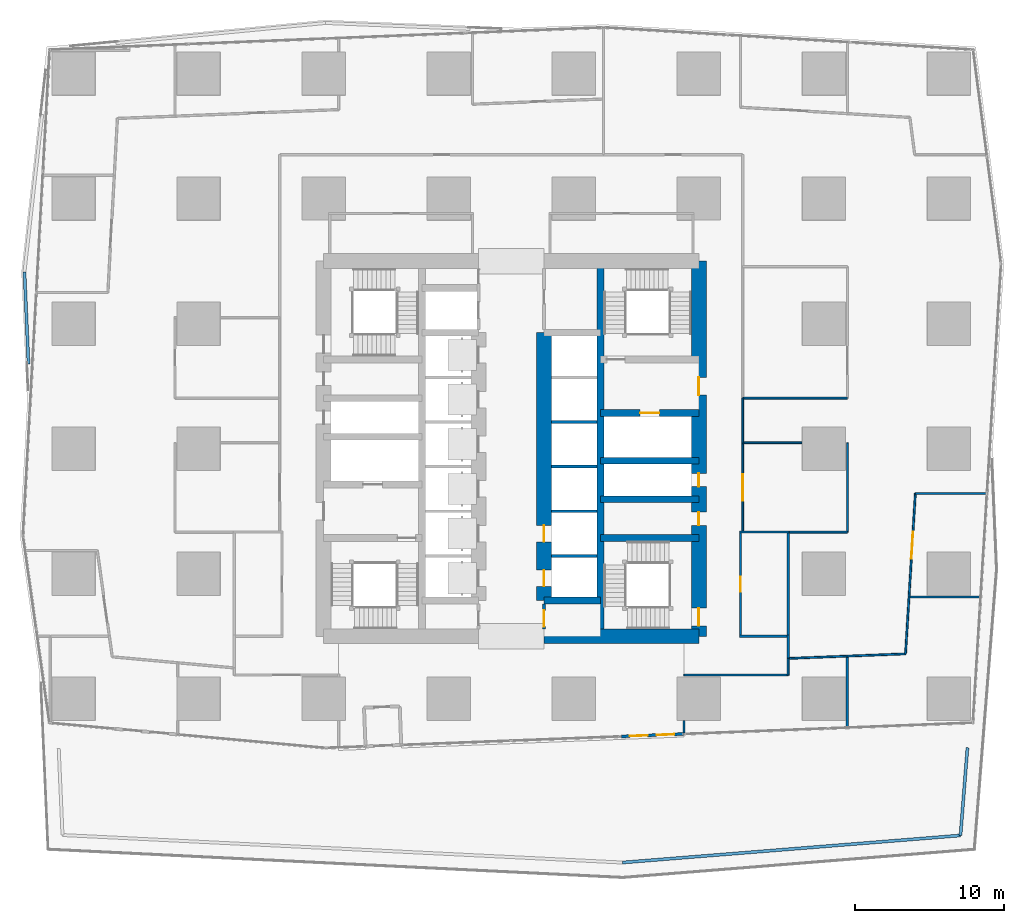
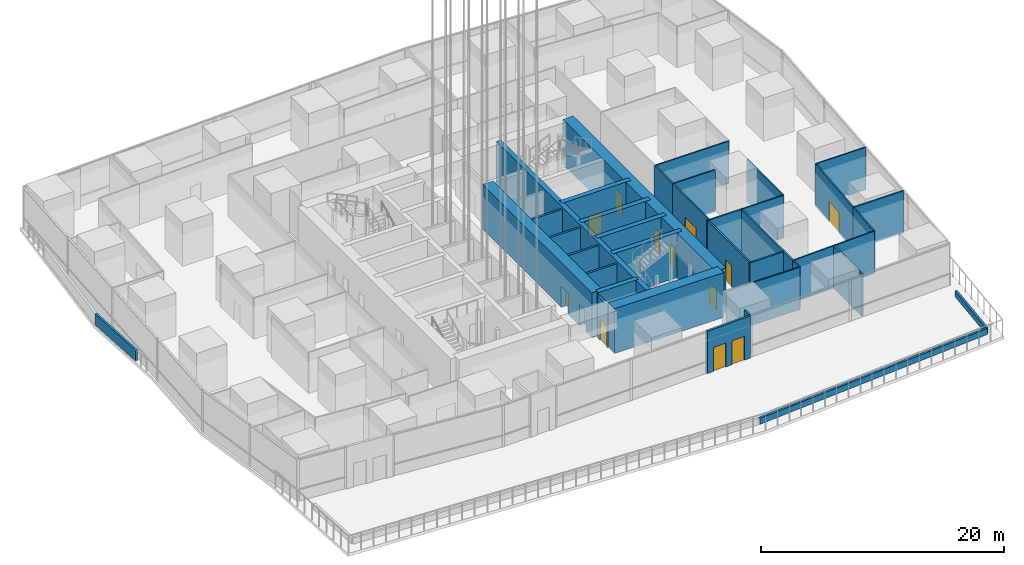
# One storey, part 20 of 44: 39 walls, 13 doors, 13 openings.
"""IFC4 building model written with IfcOpenShell, lengths in metres."""

from ifc_helpers import new_model, si_unit, direction, frame, frame_2d, origin, place, context, subcontext, project, spatial, rectangle, extrude, material, layer, layer_set, type_object, element, fill, save


model = new_model("IFC4")

# Units and contexts
model_context = context("Model", 3, precision=1e-05, world=origin(), true_north=direction((0.0, 1.0)))
body_context = subcontext(model_context, "Body", "Model", "MODEL_VIEW")
ifc_project = project(units=[si_unit("LENGTHUNIT", "METRE"), si_unit("AREAUNIT", "SQUARE_METRE"), si_unit("VOLUMEUNIT", "CUBIC_METRE"), si_unit("PLANEANGLEUNIT", "RADIAN"), si_unit("MASSUNIT", "GRAM", prefix="KILO")], contexts=[model_context])

# Site, building, storey
site_placement = place(None, origin())
site = spatial("IfcSite", under=ifc_project, at=site_placement, CompositionType="ELEMENT")
building_placement = place(site_placement, origin())
building = spatial("IfcBuilding", under=site, at=building_placement, Name="Rekha Terrace Tower", CompositionType="ELEMENT")
storey_placement = place(building_placement, frame((0.0, 0.0, 90.800048828125)))
storey = spatial("IfcBuildingStorey", under=building, at=storey_placement, Name="L22", CompositionType="ELEMENT", Elevation=90.800048828125)

# Walls
ifc_material_1 = material(Name="Concrete M70", Category="concrete")
ifc_layer_1 = layer(ifc_material_1, 0.449951171875)
ifc_layer_set_1 = layer_set([ifc_layer_1], Name="Concrete M70")
wall_type_1 = type_object("IfcWallType", Name="CI2 450 core internal shear wall", PredefinedType="SHEAR", material=ifc_layer_set_1)
wall_1_placement = place(storey_placement, frame((43.800048828125, 21.0, 0.0), z_axis=(0.0, 0.0, 1.0), x_axis=(0.0, 1.0, 0.0)))
element("IfcWall", 1, at=wall_1_placement, inside=storey, type_object=wall_type_1, Name="Core wall X438 L22", PredefinedType="SHEAR", context=body_context, shape_type="SweptSolid", body=[
    extrude(rectangle(XDim=25.199951171875, YDim=0.449951171875, at=frame_2d((12.60009765625, 0.0))), origin(), (0.0, 0.0, 1.0), 4.5),
])
wall_2_placement = place(storey_placement, frame((40.0, 23.39990234375, 0.0), z_axis=(0.0, 0.0, 1.0), x_axis=(1.0, 0.0, 0.0)))
element("IfcWall", 2, at=wall_2_placement, inside=storey, type_object=wall_type_1, Name="Core wall Y234E L22", PredefinedType="SHEAR", context=body_context, shape_type="SweptSolid", body=[
    extrude(rectangle(XDim=3.800048828125, YDim=0.449951171875, at=frame_2d((1.89990234375, 0.0))), origin(), (0.0, 0.0, 1.0), 4.5),
])
for number, where, z_axis, x_axis, name in (
    (3, (43.800048828125, 27.60009765625, 0.0), (0.0, 0.0, 1.0), (1.0, 0.0, 0.0), "Core wall Y276E L22"),
    (4, (43.800048828125, 30.199951171875, 0.0), (0.0, 0.0, 1.0), (1.0, 0.0, 0.0), "Core wall Y302E L22"),
    (5, (43.800048828125, 32.800048828125, 0.0), (0.0, 0.0, 1.0), (1.0, 0.0, 0.0), "Core wall Y328E L22"),
):
    element("IfcWall", number, at=place(storey_placement, frame(where, z_axis=z_axis, x_axis=x_axis)), inside=storey, type_object=wall_type_1, Name=name, PredefinedType="SHEAR", context=body_context, shape_type="SweptSolid", body=[
        extrude(rectangle(XDim=6.599853515625, YDim=0.449951171875, at=frame_2d((3.2998046875, 0.0))), origin(), (0.0, 0.0, 1.0), 4.5),
    ])

# Wall, opening, door
wall_3_placement = place(storey_placement, frame((43.800048828125, 36.0, 0.0), z_axis=(0.0, 0.0, 1.0), x_axis=(1.0, 0.0, 0.0)))
wall_3 = element("IfcWall", 6, at=wall_3_placement, inside=storey, type_object=wall_type_1, Name="Core wall Y360E L22", PredefinedType="SHEAR", context=body_context, shape_type="SweptSolid", body=[
    extrude(rectangle(XDim=6.599853515625, YDim=0.449951171875, at=frame_2d((3.2998046875, 0.0))), origin(), (0.0, 0.0, 1.0), 4.5),
])
opening_1_placement = place(wall_3_placement, frame((2.64990234375, 0.0, 0.0)))
opening_1 = element("IfcOpeningElement", 7, at=opening_1_placement, cuts=wall_3, Name="Opening LD2", PredefinedType="OPENING", context=body_context, shape_type="SweptSolid", body=[
    extrude(rectangle(XDim=1.300048828125, YDim=2.10009765625, at=frame_2d((0.64990234375, 1.050048828125))), frame((0.0, 0.23486328125, 0.0), z_axis=(0.0, -1.0, 0.0), x_axis=(1.0, 0.0, 0.0)), (0.0, 0.0, 1.0), 0.469970703125),
])
ifc_material_2 = material(Name="Stainless steel sliding landing door", Category="steel")
door_type_1 = type_object("IfcDoorType", Name="LD2 1300x2100 fire lift landing door", OperationType="SLIDING_TO_LEFT", PredefinedType="USERDEFINED", material=ifc_material_2)
door_1_placement = place(opening_1_placement, origin())
door_1 = element("IfcDoor", 8, at=door_1_placement, inside=storey, type_object=door_type_1, Name="Lift FL2 landing door L22", ObjectType="LIFT LANDING DOOR", OperationType="SLIDING_TO_LEFT", OverallHeight=2.10009765625, OverallWidth=1.300048828125, PredefinedType="USERDEFINED", context=body_context, shape_type="SweptSolid", body=[
    extrude(rectangle(XDim=1.300048828125, YDim=2.10009765625, at=frame_2d((0.64990234375, 1.050048828125))), frame((0.0, 0.02490234375, 0.0), z_axis=(0.0, -1.0, 0.0), x_axis=(1.0, 0.0, 0.0)), (0.0, 0.0, 1.0), 0.050048828125),
])
fill(opening_1, door_1)

# Wall, openings, doors
ifc_material_3 = material(Name="Aluminium-faced insulated screen wall", Category="aluminium")
ifc_layer_2 = layer(ifc_material_3, 0.199951171875)
ifc_layer_set_2 = layer_set([ifc_layer_2], Name="Aluminium-faced insulated screen wall")
wall_type_2 = type_object("IfcWallType", Name="EW3 terrace door screen wall 200", PredefinedType="SOLIDWALL", material=ifc_layer_set_2)
wall_4_placement = place(storey_placement, frame((45.163330078125, 14.2724609375, 0.0), z_axis=(0.0, 0.0, 1.0), x_axis=(0.999243554769, 0.03888853625, 0.0)))
wall_4 = element("IfcWall", 9, at=wall_4_placement, inside=storey, type_object=wall_type_2, Name="Terrace door screen wall", PredefinedType="SOLIDWALL", context=body_context, shape_type="SweptSolid", body=[
    extrude(rectangle(XDim=4.199951171875, YDim=0.199951171875, at=frame_2d((2.10009765625, 0.0))), origin(), (0.0, 0.0, 1.0), 4.25),
])
opening_2_placement = place(wall_4_placement, frame((0.60009765625, 0.0, 0.0)))
opening_2 = element("IfcOpeningElement", 10, at=opening_2_placement, cuts=wall_4, Name="Opening ED4", PredefinedType="OPENING", context=body_context, shape_type="SweptSolid", body=[
    extrude(rectangle(XDim=1.199951171875, YDim=2.39990234375, at=frame_2d((0.60009765625, 1.199951171875))), frame((0.0, 0.10986328125, 0.0), z_axis=(0.0, -1.0, 0.0), x_axis=(1.0, 0.0, 0.0)), (0.0, 0.0, 1.0), 0.219970703125),
])
opening_3_placement = place(wall_4_placement, frame((2.39990234375, 0.0, 0.0)))
opening_3 = element("IfcOpeningElement", 11, at=opening_3_placement, cuts=wall_4, Name="Opening ED4", PredefinedType="OPENING", context=body_context, shape_type="SweptSolid", body=[
    extrude(rectangle(XDim=1.199951171875, YDim=2.39990234375, at=frame_2d((0.60009765625, 1.199951171875))), frame((0.0, 0.10986328125, 0.0), z_axis=(0.0, -1.0, 0.0), x_axis=(1.0, 0.0, 0.0)), (0.0, 0.0, 1.0), 0.219970703125),
])
ifc_material_4 = material(Name="Aluminium framed laminated glass door", Category="aluminium")
door_type_2 = type_object("IfcDoorType", Name="ED4 glazed terrace door 1200 x 2400", OperationType="SINGLE_SWING_LEFT", PredefinedType="DOOR", material=ifc_material_4)
door_2_placement = place(opening_2_placement, origin())
door_2 = element("IfcDoor", 12, at=door_2_placement, inside=storey, type_object=door_type_2, Name="Terrace door", OperationType="SINGLE_SWING_LEFT", OverallHeight=2.39990234375, OverallWidth=1.199951171875, PredefinedType="DOOR", context=body_context, shape_type="SweptSolid", body=[
    extrude(rectangle(XDim=1.199951171875, YDim=2.39990234375, at=frame_2d((0.60009765625, 1.199951171875))), frame((0.0, 0.02490234375, 0.0), z_axis=(0.0, -1.0, 0.0), x_axis=(1.0, 0.0, 0.0)), (0.0, 0.0, 1.0), 0.050048828125),
])
fill(opening_2, door_2)
door_3_placement = place(opening_3_placement, origin())
door_3 = element("IfcDoor", 13, at=door_3_placement, inside=storey, type_object=door_type_2, Name="Terrace door", OperationType="SINGLE_SWING_LEFT", OverallHeight=2.39990234375, OverallWidth=1.199951171875, PredefinedType="DOOR", context=body_context, shape_type="SweptSolid", body=[
    extrude(rectangle(XDim=1.199951171875, YDim=2.39990234375, at=frame_2d((0.60009765625, 1.199951171875))), frame((0.0, 0.02490234375, 0.0), z_axis=(0.0, -1.0, 0.0), x_axis=(1.0, 0.0, 0.0)), (0.0, 0.0, 1.0), 0.050048828125),
])
fill(opening_3, door_3)

ifc_layer_3 = layer(ifc_material_1, 1.0)
ifc_layer_set_3 = layer_set([ifc_layer_3], Name="Concrete M70")
wall_type_3 = type_object("IfcWallType", Name="LW2 1000 core lobby wall at an outrigger level", PredefinedType="SHEAR", material=ifc_layer_set_3)
wall_5_placement = place(storey_placement, frame((40.0, 23.39990234375, 0.0), z_axis=(0.0, 0.0, 1.0), x_axis=(0.0, 1.0, 0.0)))
wall_5 = element("IfcWall", 14, at=wall_5_placement, inside=storey, type_object=wall_type_3, Name="Core wall X400 L22", PredefinedType="SHEAR", context=body_context, shape_type="SweptSolid", body=[
    extrude(rectangle(XDim=18.0, YDim=1.0, at=frame_2d((9.0, 0.0))), origin(), (0.0, 0.0, 1.0), 4.5),
])
opening_4_placement = place(wall_5_placement, frame((0.949951171875, 0.0, 0.0)))
opening_4 = element("IfcOpeningElement", 15, at=opening_4_placement, cuts=wall_5, Name="Opening LD1", PredefinedType="OPENING", context=body_context, shape_type="SweptSolid", body=[
    extrude(rectangle(XDim=1.10009765625, YDim=2.10009765625, at=frame_2d((0.550048828125, 1.050048828125))), frame((0.0, 0.510009765625, 0.0), z_axis=(0.0, -1.0, 0.0), x_axis=(1.0, 0.0, 0.0)), (0.0, 0.0, 1.0), 1.02001953125),
])
opening_5_placement = place(wall_5_placement, frame((3.949951171875, 0.0, 0.0)))
opening_5 = element("IfcOpeningElement", 16, at=opening_5_placement, cuts=wall_5, Name="Opening LD1", PredefinedType="OPENING", context=body_context, shape_type="SweptSolid", body=[
    extrude(rectangle(XDim=1.10009765625, YDim=2.10009765625, at=frame_2d((0.550048828125, 1.050048828125))), frame((0.0, 0.510009765625, 0.0), z_axis=(0.0, -1.0, 0.0), x_axis=(1.0, 0.0, 0.0)), (0.0, 0.0, 1.0), 1.02001953125),
])
door_type_3 = type_object("IfcDoorType", Name="LD1 1100x2100 lift landing door", OperationType="SLIDING_TO_LEFT", PredefinedType="USERDEFINED", material=ifc_material_2)
door_4_placement = place(opening_4_placement, origin())
door_4 = element("IfcDoor", 17, at=door_4_placement, inside=storey, type_object=door_type_3, Name="Lift SH1 landing door L22", ObjectType="LIFT LANDING DOOR", OperationType="SLIDING_TO_LEFT", OverallHeight=2.10009765625, OverallWidth=1.10009765625, PredefinedType="USERDEFINED", context=body_context, shape_type="SweptSolid", body=[
    extrude(rectangle(XDim=1.10009765625, YDim=2.10009765625, at=frame_2d((0.550048828125, 1.050048828125))), frame((0.0, 0.02490234375, 0.0), z_axis=(0.0, -1.0, 0.0), x_axis=(1.0, 0.0, 0.0)), (0.0, 0.0, 1.0), 0.050048828125),
])
fill(opening_4, door_4)
door_5_placement = place(opening_5_placement, origin())
door_5 = element("IfcDoor", 18, at=door_5_placement, inside=storey, type_object=door_type_3, Name="Lift SH2 landing door L22", ObjectType="LIFT LANDING DOOR", OperationType="SLIDING_TO_LEFT", OverallHeight=2.10009765625, OverallWidth=1.10009765625, PredefinedType="USERDEFINED", context=body_context, shape_type="SweptSolid", body=[
    extrude(rectangle(XDim=1.10009765625, YDim=2.10009765625, at=frame_2d((0.550048828125, 1.050048828125))), frame((0.0, 0.02490234375, 0.0), z_axis=(0.0, -1.0, 0.0), x_axis=(1.0, 0.0, 0.0)), (0.0, 0.0, 1.0), 0.050048828125),
])
fill(opening_5, door_5)

# Walls
ifc_material_5 = material(Name="Concrete M40", Category="concrete")
ifc_layer_4 = layer(ifc_material_5, 0.199951171875)
ifc_layer_set_4 = layer_set([ifc_layer_4], Name="Concrete M40")
wall_type_4 = type_object("IfcWallType", Name="PL1 terrace planter wall 200", PredefinedType="USERDEFINED", material=ifc_layer_set_4)
wall_6_placement = place(storey_placement, frame((45.27099609375, 5.80224609375, 0.0), z_axis=(0.0, 0.0, 1.0), x_axis=(0.996805456417, 0.079867903804, 0.0)))
element("IfcWall", 19, at=wall_6_placement, inside=storey, type_object=wall_type_4, Name="Terrace planter", ObjectType="PLANTER", PredefinedType="USERDEFINED", context=body_context, shape_type="SweptSolid", body=[
    extrude(rectangle(XDim=22.779296875, YDim=0.199951171875, at=frame_2d((11.3896484375, 0.0))), origin(), (0.0, 0.0, 1.0), 0.599853515625),
])
wall_7_placement = place(storey_placement, frame((67.9775390625, 7.62158203125, 0.0), z_axis=(0.0, 0.0, 1.0), x_axis=(0.079133230428, 0.996864048826, 0.0)))
element("IfcWall", 20, at=wall_7_placement, inside=storey, type_object=wall_type_4, Name="Terrace planter", ObjectType="PLANTER", PredefinedType="USERDEFINED", context=body_context, shape_type="SweptSolid", body=[
    extrude(rectangle(XDim=5.914306640625, YDim=0.199951171875, at=frame_2d((2.95703125, 0.0))), origin(), (0.0, 0.0, 1.0), 0.599853515625),
])
ifc_layer_5 = layer(ifc_material_5, 0.199951171875)
ifc_layer_set_5 = layer_set([ifc_layer_5], Name="Concrete M40")
wall_type_5 = type_object("IfcWallType", Name="PP1 parapet wall 200", PredefinedType="PARAPET", material=ifc_layer_set_5)
wall_8_placement = place(storey_placement, frame((5.1005859375, 45.47314453125, 0.0), z_axis=(0.0, 0.0, 1.0), x_axis=(0.043652646893, -0.999046768885, 0.0)))
element("IfcWall", 21, at=wall_8_placement, inside=storey, type_object=wall_type_5, Name="Ledge parapet", PredefinedType="PARAPET", context=body_context, shape_type="SweptSolid", body=[
    extrude(rectangle(XDim=6.19677734375, YDim=0.199951171875, at=frame_2d((3.098388671875, 0.0))), origin(), (0.0, 0.0, 1.0), 1.099853515625),
])
ifc_layer_6 = layer(ifc_material_1, 1.0)
ifc_layer_set_6 = layer_set([ifc_layer_6], Name="Concrete M70")
wall_type_6 = type_object("IfcWallType", Name="SW2 1000 core outer shear wall", PredefinedType="SHEAR", material=ifc_layer_set_6)
wall_9_placement = place(storey_placement, frame((40.0, 21.0, 0.0), z_axis=(0.0, 0.0, 1.0), x_axis=(1.0, 0.0, 0.0)))
element("IfcWall", 22, at=wall_9_placement, inside=storey, type_object=wall_type_6, Name="Core wall S2 L22", PredefinedType="SHEAR", context=body_context, shape_type="SweptSolid", body=[
    extrude(rectangle(XDim=10.39990234375, YDim=1.0, at=frame_2d((5.199951171875, 0.0))), origin(), (0.0, 0.0, 1.0), 4.5),
])

# Wall, openings, doors
wall_10_placement = place(storey_placement, frame((50.39990234375, 21.0, 0.0), z_axis=(0.0, 0.0, 1.0), x_axis=(0.0, 1.0, 0.0)))
wall_10 = element("IfcWall", 23, at=wall_10_placement, inside=storey, type_object=wall_type_6, Name="Core wall E L22", PredefinedType="SHEAR", context=body_context, shape_type="SweptSolid", body=[
    extrude(rectangle(XDim=25.199951171875, YDim=1.0, at=frame_2d((12.60009765625, 0.0))), origin(), (0.0, 0.0, 1.0), 4.5),
])
opening_6_placement = place(wall_10_placement, frame((16.199951171875, 0.0, 0.0)))
opening_6 = element("IfcOpeningElement", 24, at=opening_6_placement, cuts=wall_10, Name="Opening D2", PredefinedType="OPENING", context=body_context, shape_type="SweptSolid", body=[
    extrude(rectangle(XDim=1.199951171875, YDim=2.10009765625, at=frame_2d((0.60009765625, 1.050048828125))), frame((0.0, 0.510009765625, 0.0), z_axis=(0.0, -1.0, 0.0), x_axis=(1.0, 0.0, 0.0)), (0.0, 0.0, 1.0), 1.02001953125),
])
opening_7_placement = place(wall_10_placement, frame((10.050048828125, 0.0, 0.0)))
opening_7 = element("IfcOpeningElement", 25, at=opening_7_placement, cuts=wall_10, Name="Opening D5", PredefinedType="OPENING", context=body_context, shape_type="SweptSolid", body=[
    extrude(rectangle(XDim=0.89990234375, YDim=2.10009765625, at=frame_2d((0.449951171875, 1.050048828125))), frame((0.0, 0.510009765625, 0.0), z_axis=(0.0, -1.0, 0.0), x_axis=(1.0, 0.0, 0.0)), (0.0, 0.0, 1.0), 1.02001953125),
])
opening_8_placement = place(wall_10_placement, frame((7.449951171875, 0.0, 0.0)))
opening_8 = element("IfcOpeningElement", 26, at=opening_8_placement, cuts=wall_10, Name="Opening D5", PredefinedType="OPENING", context=body_context, shape_type="SweptSolid", body=[
    extrude(rectangle(XDim=0.89990234375, YDim=2.10009765625, at=frame_2d((0.449951171875, 1.050048828125))), frame((0.0, 0.510009765625, 0.0), z_axis=(0.0, -1.0, 0.0), x_axis=(1.0, 0.0, 0.0)), (0.0, 0.0, 1.0), 1.02001953125),
])
opening_9_placement = place(wall_10_placement, frame((0.699951171875, 0.0, 0.0)))
opening_9 = element("IfcOpeningElement", 27, at=opening_9_placement, cuts=wall_10, Name="Opening D1", PredefinedType="OPENING", context=body_context, shape_type="SweptSolid", body=[
    extrude(rectangle(XDim=1.199951171875, YDim=2.10009765625, at=frame_2d((0.60009765625, 1.050048828125))), frame((0.0, 0.510009765625, 0.0), z_axis=(0.0, -1.0, 0.0), x_axis=(1.0, 0.0, 0.0)), (0.0, 0.0, 1.0), 1.02001953125),
])
ifc_material_6 = material(Name="Steel fire door", Category="steel")
door_type_4 = type_object("IfcDoorType", Name="D1 1200x2100 stair fire door", OperationType="SINGLE_SWING_RIGHT", PredefinedType="DOOR", material=ifc_material_6)
door_6_placement = place(opening_9_placement, origin())
door_6 = element("IfcDoor", 28, at=door_6_placement, inside=storey, type_object=door_type_4, Name="Stair ST3 door L22", OperationType="SINGLE_SWING_RIGHT", OverallHeight=2.10009765625, OverallWidth=1.199951171875, PredefinedType="DOOR", context=body_context, shape_type="SweptSolid", body=[
    extrude(rectangle(XDim=1.199951171875, YDim=2.10009765625, at=frame_2d((0.60009765625, 1.050048828125))), frame((0.0, 0.02490234375, 0.0), z_axis=(0.0, -1.0, 0.0), x_axis=(1.0, 0.0, 0.0)), (0.0, 0.0, 1.0), 0.050048828125),
])
fill(opening_9, door_6)
door_type_5 = type_object("IfcDoorType", Name="D2 1200x2100 firefighting lobby door", OperationType="SINGLE_SWING_LEFT", PredefinedType="DOOR", material=ifc_material_6)
door_7_placement = place(opening_6_placement, origin())
door_7 = element("IfcDoor", 29, at=door_7_placement, inside=storey, type_object=door_type_5, Name="Door flb2 L22", OperationType="SINGLE_SWING_LEFT", OverallHeight=2.10009765625, OverallWidth=1.199951171875, PredefinedType="DOOR", context=body_context, shape_type="SweptSolid", body=[
    extrude(rectangle(XDim=1.199951171875, YDim=2.10009765625, at=frame_2d((0.60009765625, 1.050048828125))), frame((0.0, 0.02490234375, 0.0), z_axis=(0.0, -1.0, 0.0), x_axis=(1.0, 0.0, 0.0)), (0.0, 0.0, 1.0), 0.050048828125),
])
fill(opening_6, door_7)
door_type_6 = type_object("IfcDoorType", Name="D5 900x2100 riser access door", OperationType="SINGLE_SWING_LEFT", PredefinedType="DOOR", material=ifc_material_6)
door_8_placement = place(opening_7_placement, origin())
door_8 = element("IfcDoor", 30, at=door_8_placement, inside=storey, type_object=door_type_6, Name="Door rs2 L22", OperationType="SINGLE_SWING_LEFT", OverallHeight=2.10009765625, OverallWidth=0.89990234375, PredefinedType="DOOR", context=body_context, shape_type="SweptSolid", body=[
    extrude(rectangle(XDim=0.89990234375, YDim=2.10009765625, at=frame_2d((0.449951171875, 1.050048828125))), frame((0.0, 0.02490234375, 0.0), z_axis=(0.0, -1.0, 0.0), x_axis=(1.0, 0.0, 0.0)), (0.0, 0.0, 1.0), 0.050048828125),
])
fill(opening_7, door_8)
door_9_placement = place(opening_8_placement, origin())
door_9 = element("IfcDoor", 31, at=door_9_placement, inside=storey, type_object=door_type_6, Name="Door ele L22", OperationType="SINGLE_SWING_LEFT", OverallHeight=2.10009765625, OverallWidth=0.89990234375, PredefinedType="DOOR", context=body_context, shape_type="SweptSolid", body=[
    extrude(rectangle(XDim=0.89990234375, YDim=2.10009765625, at=frame_2d((0.449951171875, 1.050048828125))), frame((0.0, 0.02490234375, 0.0), z_axis=(0.0, -1.0, 0.0), x_axis=(1.0, 0.0, 0.0)), (0.0, 0.0, 1.0), 0.050048828125),
])
fill(opening_8, door_9)

# Walls
ifc_material_7 = material(Name="Concrete block masonry, 1 hour", Category="masonry")
ifc_layer_7 = layer(ifc_material_7, 0.14990234375)
ifc_layer_set_7 = layer_set([ifc_layer_7], Name="Concrete block masonry, 1 hour")
wall_type_7 = type_object("IfcWallType", Name="WP2 150 tenancy partition", PredefinedType="PARTITIONING", material=ifc_layer_set_7)
for number, where, z_axis, x_axis, name in (
    (32, (53.125, 21.0, 0.0), (0.0, 0.0, 1.0), (1.0, 0.0, 0.0), "Men's WC wall L22"),
    (33, (53.125, 28.0, 0.0), (0.0, 0.0, 1.0), (1.0, 0.0, 0.0), "Men's WC wall L22"),
):
    element("IfcWall", number, at=place(storey_placement, frame(where, z_axis=z_axis, x_axis=x_axis)), inside=storey, type_object=wall_type_7, Name=name, PredefinedType="PARTITIONING", context=body_context, shape_type="SweptSolid", body=[
        extrude(rectangle(XDim=3.35009765625, YDim=0.14990234375, at=frame_2d((1.675048828125, 0.0))), origin(), (0.0, 0.0, 1.0), 4.25),
    ])

# Wall, opening, door
wall_11_placement = place(storey_placement, frame((53.199951171875, 21.074951171875, 0.0), z_axis=(0.0, 0.0, 1.0), x_axis=(0.0, 1.0, 0.0)))
wall_11 = element("IfcWall", 34, at=wall_11_placement, inside=storey, type_object=wall_type_7, Name="Men's WC wall L22", PredefinedType="PARTITIONING", context=body_context, shape_type="SweptSolid", body=[
    extrude(rectangle(XDim=6.85009765625, YDim=0.14990234375, at=frame_2d((3.425048828125, 0.0))), origin(), (0.0, 0.0, 1.0), 4.25),
])
opening_10_placement = place(wall_11_placement, frame((2.925048828125, 0.0, 0.0)))
opening_10 = element("IfcOpeningElement", 35, at=opening_10_placement, cuts=wall_11, Name="Opening D3", PredefinedType="OPENING", context=body_context, shape_type="SweptSolid", body=[
    extrude(rectangle(XDim=1.0, YDim=2.10009765625, at=frame_2d((0.5, 1.050048828125))), frame((0.0, 0.0849609375, 0.0), z_axis=(0.0, -1.0, 0.0), x_axis=(1.0, 0.0, 0.0)), (0.0, 0.0, 1.0), 0.169921875),
])
ifc_material_8 = material(Name="Laminated timber fire door", Category="wood")
door_type_7 = type_object("IfcDoorType", Name="D3 1000x2100 WC door", OperationType="SINGLE_SWING_LEFT", PredefinedType="DOOR", material=ifc_material_8)
door_10_placement = place(opening_10_placement, origin())
door_10 = element("IfcDoor", 36, at=door_10_placement, inside=storey, type_object=door_type_7, Name="Door men's wc L22", OperationType="SINGLE_SWING_LEFT", OverallHeight=2.10009765625, OverallWidth=1.0, PredefinedType="DOOR", context=body_context, shape_type="SweptSolid", body=[
    extrude(rectangle(XDim=1.0, YDim=2.10009765625, at=frame_2d((0.5, 1.050048828125))), frame((0.0, 0.02490234375, 0.0), z_axis=(0.0, -1.0, 0.0), x_axis=(1.0, 0.0, 0.0)), (0.0, 0.0, 1.0), 0.050048828125),
])
fill(opening_10, door_10)

# Walls
wall_12_placement = place(storey_placement, frame((56.39990234375, 21.074951171875, 0.0), z_axis=(0.0, 0.0, 1.0), x_axis=(0.0, 1.0, 0.0)))
element("IfcWall", 37, at=wall_12_placement, inside=storey, type_object=wall_type_7, Name="Men's WC wall L22", PredefinedType="PARTITIONING", context=body_context, shape_type="SweptSolid", body=[
    extrude(rectangle(XDim=6.85009765625, YDim=0.14990234375, at=frame_2d((3.425048828125, 0.0))), origin(), (0.0, 0.0, 1.0), 4.25),
])
wall_13_placement = place(storey_placement, frame((64.58203125, 23.635009765625, 0.0), z_axis=(0.0, 0.0, 1.0), x_axis=(1.0, 0.0, 0.0)))
element("IfcWall", 38, at=wall_13_placement, inside=storey, type_object=wall_type_7, Name="Partition L22-O1", PredefinedType="PARTITIONING", context=body_context, shape_type="SweptSolid", body=[
    extrude(rectangle(XDim=4.697021484375, YDim=0.14990234375, at=frame_2d((2.3486328125, 0.0))), origin(), (0.0, 0.0, 1.0), 4.25),
])
wall_14_placement = place(storey_placement, frame((60.363037109375, 19.60498046875, 0.0), z_axis=(0.0, 0.0, 1.0), x_axis=(0.0, -1.0, 0.0)))
element("IfcWall", 39, at=wall_14_placement, inside=storey, type_object=wall_type_7, Name="Partition L22-O1", PredefinedType="PARTITIONING", context=body_context, shape_type="SweptSolid", body=[
    extrude(rectangle(XDim=4.660888671875, YDim=0.14990234375, at=frame_2d((2.33056640625, 0.0))), origin(), (0.0, 0.0, 1.0), 4.25),
])
wall_15_placement = place(storey_placement, frame((56.39990234375, 19.512939453125, 0.0), z_axis=(0.0, 0.0, 1.0), x_axis=(0.0, 1.0, 0.0)))
element("IfcWall", 40, at=wall_15_placement, inside=storey, type_object=wall_type_7, Name="Partition L22-O1", PredefinedType="PARTITIONING", context=body_context, shape_type="SweptSolid", body=[
    extrude(rectangle(XDim=1.56201171875, YDim=0.14990234375, at=frame_2d((0.781005859375, 0.0))), origin(), (0.0, 0.0, 1.0), 4.25),
])
ifc_material_9 = material(Name="Two layers of fire-rated gypsum board each side on steel studs, acoustic quilt, 1 hour", Category="steel")
ifc_layer_8 = layer(ifc_material_9, 0.125)
ifc_layer_set_8 = layer_set([ifc_layer_8], Name="Two layers of fire-rated gypsum board each side on steel studs, acoustic quilt, 1 hour")
wall_type_8 = type_object("IfcWallType", Name="WP3 125 office partition", PredefinedType="PARTITIONING", material=ifc_layer_set_8)
wall_16_placement = place(storey_placement, frame((49.39990234375, 18.39990234375, 0.0), z_axis=(0.0, 0.0, 1.0), x_axis=(1.0, 0.0, 0.0)))
element("IfcWall", 41, at=wall_16_placement, inside=storey, type_object=wall_type_8, Name="Partition L22-05", PredefinedType="PARTITIONING", context=body_context, shape_type="SweptSolid", body=[
    extrude(rectangle(XDim=7.0, YDim=0.125, at=frame_2d((3.5, 0.0))), origin(), (0.0, 0.0, 1.0), 4.25),
])
wall_17_placement = place(storey_placement, frame((56.39990234375, 18.39990234375, 0.0), z_axis=(0.0, 0.0, 1.0), x_axis=(0.0, 1.0, 0.0)))
element("IfcWall", 42, at=wall_17_placement, inside=storey, type_object=wall_type_8, Name="Partition L22-05", PredefinedType="PARTITIONING", context=body_context, shape_type="SweptSolid", body=[
    extrude(rectangle(XDim=1.113037109375, YDim=0.125, at=frame_2d((0.556640625, 0.0))), origin(), (0.0, 0.0, 1.0), 4.25),
])
wall_18_placement = place(storey_placement, frame((56.39990234375, 19.512939453125, 0.0), z_axis=(0.0, 0.0, 1.0), x_axis=(0.999236150062, 0.039078336841, 0.0)))
element("IfcWall", 43, at=wall_18_placement, inside=storey, type_object=wall_type_8, Name="Partition L22-05", PredefinedType="PARTITIONING", context=body_context, shape_type="SweptSolid", body=[
    extrude(rectangle(XDim=3.967041015625, YDim=0.125, at=frame_2d((1.9833984375, 0.0))), origin(), (0.0, 0.0, 1.0), 4.25),
])
wall_19_placement = place(storey_placement, frame((60.364013671875, 19.66796875, 0.0), z_axis=(0.0, 0.0, 1.0), x_axis=(0.999248811144, 0.038753237633, 0.0)))
element("IfcWall", 44, at=wall_19_placement, inside=storey, type_object=wall_type_8, Name="Partition L22-05", PredefinedType="PARTITIONING", context=body_context, shape_type="SweptSolid", body=[
    extrude(rectangle(XDim=3.9248046875, YDim=0.125, at=frame_2d((1.96240234375, 0.0))), origin(), (0.0, 0.0, 1.0), 4.25),
])
wall_20_placement = place(storey_placement, frame((64.285888671875, 19.820068359375, 0.0), z_axis=(0.0, 0.0, 1.0), x_axis=(0.061033398436, 0.998135724376, 0.0)))
element("IfcWall", 45, at=wall_20_placement, inside=storey, type_object=wall_type_8, Name="Partition L22-05", PredefinedType="PARTITIONING", context=body_context, shape_type="SweptSolid", body=[
    extrude(rectangle(XDim=3.820068359375, YDim=0.125, at=frame_2d((1.91015625, 0.0))), origin(), (0.0, 0.0, 1.0), 4.25),
])

# Wall, opening, door
wall_21_placement = place(storey_placement, frame((64.51904296875, 23.633056640625, 0.0), z_axis=(0.0, 0.0, 1.0), x_axis=(0.061201842045, 0.998125410222, 0.0)))
wall_21 = element("IfcWall", 46, at=wall_21_placement, inside=storey, type_object=wall_type_8, Name="Partition L22-05", PredefinedType="PARTITIONING", context=body_context, shape_type="SweptSolid", body=[
    extrude(rectangle(XDim=6.97705078125, YDim=0.125, at=frame_2d((3.488525390625, 0.0))), origin(), (0.0, 0.0, 1.0), 4.25),
])
opening_11_placement = place(wall_21_placement, frame((2.589111328125, 0.0, 0.0)))
opening_11 = element("IfcOpeningElement", 47, at=opening_11_placement, cuts=wall_21, Name="Opening D8", PredefinedType="OPENING", context=body_context, shape_type="SweptSolid", body=[
    extrude(rectangle(XDim=1.800048828125, YDim=2.10009765625, at=frame_2d((0.89990234375, 1.050048828125))), frame((0.0, 0.072509765625, 0.0), z_axis=(0.0, -1.0, 0.0), x_axis=(1.0, 0.0, 0.0)), (0.0, 0.0, 1.0), 0.14501953125),
])
ifc_material_10 = material(Name="Timber fire door", Category="wood")
door_type_8 = type_object("IfcDoorType", Name="D8 1800x2100 double leaf door", OperationType="DOUBLE_DOOR_SINGLE_SWING", PredefinedType="DOOR", material=ifc_material_10)
door_11_placement = place(opening_11_placement, origin())
door_11 = element("IfcDoor", 48, at=door_11_placement, inside=storey, type_object=door_type_8, Name="Door business lounge L22", OperationType="DOUBLE_DOOR_SINGLE_SWING", OverallHeight=2.10009765625, OverallWidth=1.800048828125, PredefinedType="DOOR", context=body_context, shape_type="SweptSolid", body=[
    extrude(rectangle(XDim=1.800048828125, YDim=2.10009765625, at=frame_2d((0.89990234375, 1.050048828125))), frame((0.0, 0.02490234375, 0.0), z_axis=(0.0, -1.0, 0.0), x_axis=(1.0, 0.0, 0.0)), (0.0, 0.0, 1.0), 0.050048828125),
])
fill(opening_11, door_11)

# Walls
wall_22_placement = place(storey_placement, frame((64.946044921875, 30.596923828125, 0.0), z_axis=(0.0, 0.0, 1.0), x_axis=(1.0, 0.0, 0.0)))
element("IfcWall", 49, at=wall_22_placement, inside=storey, type_object=wall_type_8, Name="Partition L22-05", PredefinedType="PARTITIONING", context=body_context, shape_type="SweptSolid", body=[
    extrude(rectangle(XDim=4.72900390625, YDim=0.125, at=frame_2d((2.364501953125, 0.0))), origin(), (0.0, 0.0, 1.0), 4.25),
])
wall_23_placement = place(storey_placement, frame((49.39990234375, 14.51708984375, 0.0), z_axis=(0.0, 0.0, 1.0), x_axis=(0.0, 1.0, 0.0)))
element("IfcWall", 50, at=wall_23_placement, inside=storey, type_object=wall_type_8, Name="Partition L22-05", PredefinedType="PARTITIONING", context=body_context, shape_type="SweptSolid", body=[
    extrude(rectangle(XDim=0.81298828125, YDim=0.125, at=frame_2d((0.406494140625, 0.0))), origin(), (0.0, 0.0, 1.0), 4.25),
])
wall_24_placement = place(storey_placement, frame((53.35009765625, 34.0, 0.0), z_axis=(0.0, 0.0, 1.0), x_axis=(1.0, 0.0, 0.0)))
element("IfcWall", 51, at=wall_24_placement, inside=storey, type_object=wall_type_8, Name="Partition L22-07", PredefinedType="PARTITIONING", context=body_context, shape_type="SweptSolid", body=[
    extrude(rectangle(XDim=3.97998046875, YDim=0.125, at=frame_2d((1.989990234375, 0.0))), origin(), (0.0, 0.0, 1.0), 4.25),
])
wall_25_placement = place(storey_placement, frame((60.385986328125, 34.0, 0.0), z_axis=(0.0, 0.0, 1.0), x_axis=(0.0, -1.0, 0.0)))
element("IfcWall", 52, at=wall_25_placement, inside=storey, type_object=wall_type_8, Name="Partition L22-07", PredefinedType="PARTITIONING", context=body_context, shape_type="SweptSolid", body=[
    extrude(rectangle(XDim=6.0, YDim=0.125, at=frame_2d((3.0, 0.0))), origin(), (0.0, 0.0, 1.0), 4.25),
])
wall_26_placement = place(storey_placement, frame((60.385986328125, 28.0, 0.0), z_axis=(0.0, 0.0, 1.0), x_axis=(-1.0, 0.0, 0.0)))
element("IfcWall", 53, at=wall_26_placement, inside=storey, type_object=wall_type_8, Name="Partition L22-07", PredefinedType="PARTITIONING", context=body_context, shape_type="SweptSolid", body=[
    extrude(rectangle(XDim=3.910888671875, YDim=0.125, at=frame_2d((1.95556640625, 0.0))), origin(), (0.0, 0.0, 1.0), 4.25),
])

# Wall, opening, door
wall_27_placement = place(storey_placement, frame((53.35009765625, 28.074951171875, 0.0), z_axis=(0.0, 0.0, 1.0), x_axis=(0.0, 1.0, 0.0)))
wall_27 = element("IfcWall", 54, at=wall_27_placement, inside=storey, type_object=wall_type_8, Name="Partition L22-07", PredefinedType="PARTITIONING", context=body_context, shape_type="SweptSolid", body=[
    extrude(rectangle(XDim=5.925048828125, YDim=0.125, at=frame_2d((2.96240234375, 0.0))), origin(), (0.0, 0.0, 1.0), 4.25),
])
opening_12_placement = place(wall_27_placement, frame((2.02490234375, 0.0, 0.0)))
opening_12 = element("IfcOpeningElement", 55, at=opening_12_placement, cuts=wall_27, Name="Opening D8", PredefinedType="OPENING", context=body_context, shape_type="SweptSolid", body=[
    extrude(rectangle(XDim=1.800048828125, YDim=2.10009765625, at=frame_2d((0.89990234375, 1.050048828125))), frame((0.0, 0.072509765625, 0.0), z_axis=(0.0, -1.0, 0.0), x_axis=(1.0, 0.0, 0.0)), (0.0, 0.0, 1.0), 0.14501953125),
])
door_12_placement = place(opening_12_placement, origin())
door_12 = element("IfcDoor", 56, at=door_12_placement, inside=storey, type_object=door_type_8, Name="Door reception L22", OperationType="DOUBLE_DOOR_SINGLE_SWING", OverallHeight=2.10009765625, OverallWidth=1.800048828125, PredefinedType="DOOR", context=body_context, shape_type="SweptSolid", body=[
    extrude(rectangle(XDim=1.800048828125, YDim=2.10009765625, at=frame_2d((0.89990234375, 1.050048828125))), frame((0.0, 0.02490234375, 0.0), z_axis=(0.0, -1.0, 0.0), x_axis=(1.0, 0.0, 0.0)), (0.0, 0.0, 1.0), 0.050048828125),
])
fill(opening_12, door_12)

# Walls
wall_28_placement = place(storey_placement, frame((53.35009765625, 37.0, 0.0), z_axis=(0.0, 0.0, 1.0), x_axis=(1.0, 0.0, 0.0)))
element("IfcWall", 57, at=wall_28_placement, inside=storey, type_object=wall_type_8, Name="Partition L22-08", PredefinedType="PARTITIONING", context=body_context, shape_type="SweptSolid", body=[
    extrude(rectangle(XDim=7.035888671875, YDim=0.125, at=frame_2d((3.51806640625, 0.0))), origin(), (0.0, 0.0, 1.0), 4.25),
])
wall_29_placement = place(storey_placement, frame((53.35009765625, 34.0, 0.0), z_axis=(0.0, 0.0, 1.0), x_axis=(0.0, 1.0, 0.0)))
element("IfcWall", 58, at=wall_29_placement, inside=storey, type_object=wall_type_8, Name="Partition L22-08", PredefinedType="PARTITIONING", context=body_context, shape_type="SweptSolid", body=[
    extrude(rectangle(XDim=3.0, YDim=0.125, at=frame_2d((1.5, 0.0))), origin(), (0.0, 0.0, 1.0), 4.25),
])
ifc_material_11 = material(Name="Solid concrete block masonry, 2 hour", Category="masonry")
ifc_layer_9 = layer(ifc_material_11, 0.199951171875)
ifc_layer_set_9 = layer_set([ifc_layer_9], Name="Solid concrete block masonry, 2 hour")
wall_type_9 = type_object("IfcWallType", Name="WS1 200 stair and shaft enclosure", PredefinedType="PARTITIONING", material=ifc_layer_set_9)
for number, where, z_axis, x_axis, name in (
    (59, (40.5, 26.39990234375, 0.0), (0.0, 0.0, 1.0), (1.0, 0.0, 0.0), "Lift shaft divider L22"),
    (60, (40.5, 29.39990234375, 0.0), (0.0, 0.0, 1.0), (1.0, 0.0, 0.0), "Lift shaft divider L22"),
    (61, (40.5, 32.39990234375, 0.0), (0.0, 0.0, 1.0), (1.0, 0.0, 0.0), "Lift shaft divider L22"),
    (62, (40.5, 35.39990234375, 0.0), (0.0, 0.0, 1.0), (1.0, 0.0, 0.0), "Lift shaft divider L22"),
):
    element("IfcWall", number, at=place(storey_placement, frame(where, z_axis=z_axis, x_axis=x_axis)), inside=storey, type_object=wall_type_9, Name=name, PredefinedType="PARTITIONING", context=body_context, shape_type="SweptSolid", body=[
        extrude(rectangle(XDim=3.074951171875, YDim=0.199951171875, at=frame_2d((1.53759765625, 0.0))), origin(), (0.0, 0.0, 1.0), 4.25),
    ])

# Wall, opening, door
wall_30_placement = place(storey_placement, frame((40.0, 21.5, 0.0), z_axis=(0.0, 0.0, 1.0), x_axis=(0.0, 1.0, 0.0)))
wall_30 = element("IfcWall", 63, at=wall_30_placement, inside=storey, type_object=wall_type_9, Name="Core partition wca L22", PredefinedType="PARTITIONING", context=body_context, shape_type="SweptSolid", body=[
    extrude(rectangle(XDim=1.675048828125, YDim=0.199951171875, at=frame_2d((0.83740234375, 0.0))), origin(), (0.0, 0.0, 1.0), 4.25),
])
opening_13_placement = place(wall_30_placement, frame((0.14990234375, 0.0, 0.0)))
opening_13 = element("IfcOpeningElement", 64, at=opening_13_placement, cuts=wall_30, Name="Opening D4", PredefinedType="OPENING", context=body_context, shape_type="SweptSolid", body=[
    extrude(rectangle(XDim=1.10009765625, YDim=2.10009765625, at=frame_2d((0.550048828125, 1.050048828125))), frame((0.0, 0.10986328125, 0.0), z_axis=(0.0, -1.0, 0.0), x_axis=(1.0, 0.0, 0.0)), (0.0, 0.0, 1.0), 0.219970703125),
])
door_type_9 = type_object("IfcDoorType", Name="D4 1100x2100 accessible WC door", OperationType="SLIDING_TO_LEFT", PredefinedType="DOOR", material=ifc_material_8)
door_13_placement = place(opening_13_placement, origin())
door_13 = element("IfcDoor", 65, at=door_13_placement, inside=storey, type_object=door_type_9, Name="Door wca L22", OperationType="SLIDING_TO_LEFT", OverallHeight=2.10009765625, OverallWidth=1.10009765625, PredefinedType="DOOR", context=body_context, shape_type="SweptSolid", body=[
    extrude(rectangle(XDim=1.10009765625, YDim=2.10009765625, at=frame_2d((0.550048828125, 1.050048828125))), frame((0.0, 0.02490234375, 0.0), z_axis=(0.0, -1.0, 0.0), x_axis=(1.0, 0.0, 0.0)), (0.0, 0.0, 1.0), 0.050048828125),
])
fill(opening_13, door_13)

save(model, "model.ifc")
